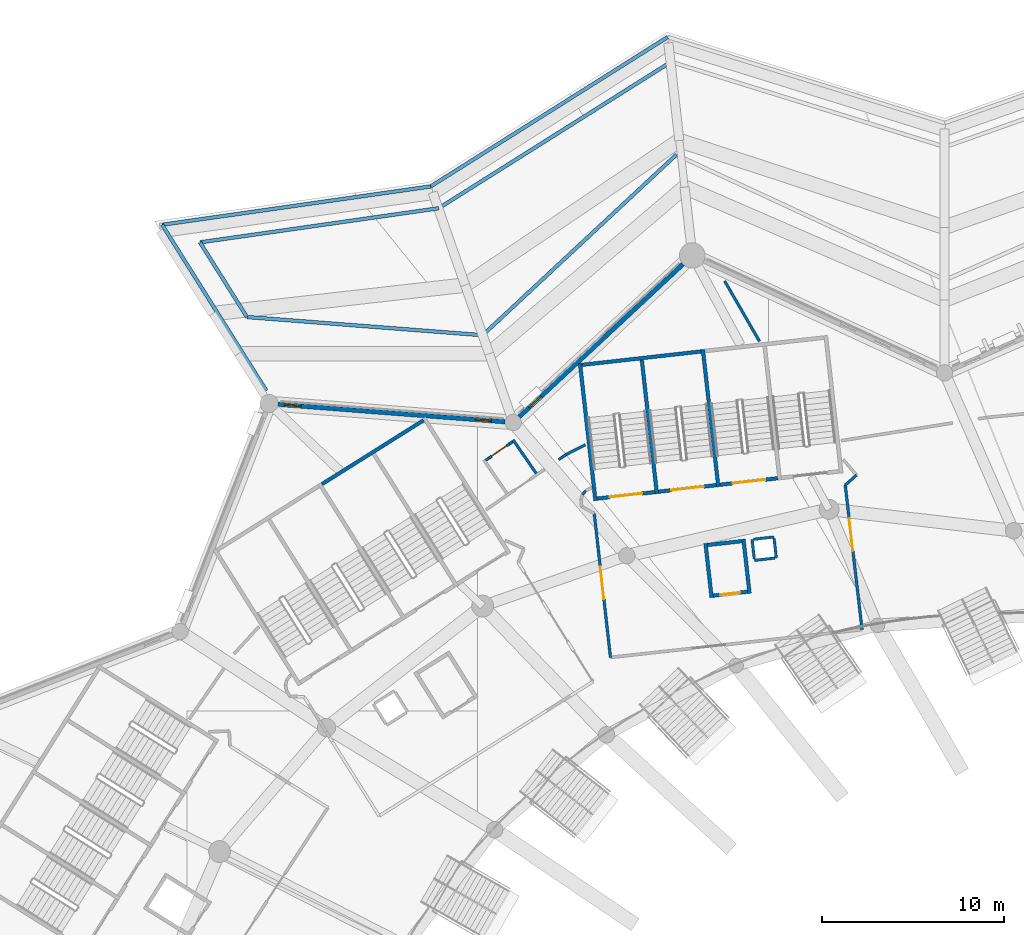
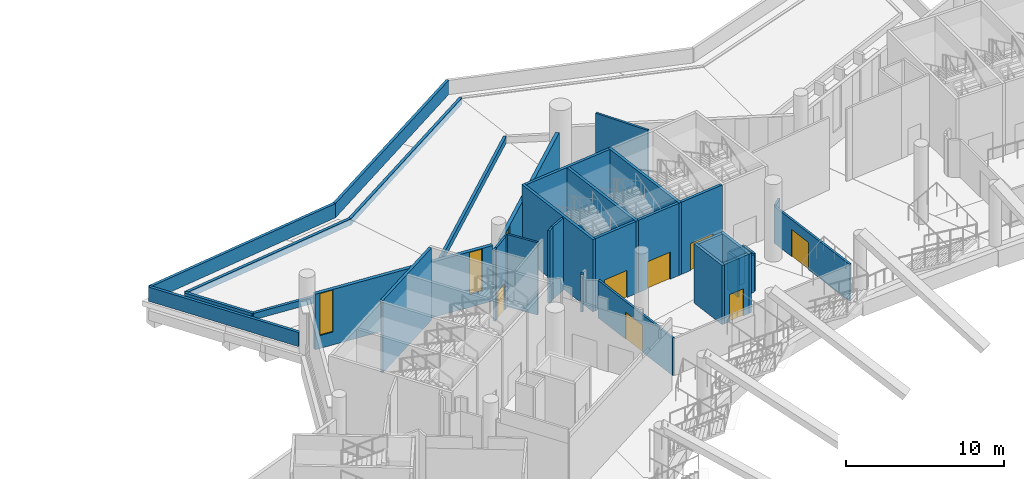
# One storey, part 66 of 173: 37 walls, 7 doors, 3 windows, 10 openings.
"""IFC4 building model written with IfcOpenShell, lengths in metres."""

from ifc_helpers import new_model, si_unit, direction, frame, frame_2d, origin, place, context, subcontext, project, spatial, rectangle, extrude, material, layer, layer_set, type_object, element, fill, save


model = new_model("IFC4")

# Units and contexts
model_context = context("Model", 3, precision=1e-05, world=origin(), true_north=direction((0.0, 1.0)))
body_context = subcontext(model_context, "Body", "Model", "MODEL_VIEW")
ifc_project = project(units=[si_unit("LENGTHUNIT", "METRE"), si_unit("AREAUNIT", "SQUARE_METRE"), si_unit("VOLUMEUNIT", "CUBIC_METRE"), si_unit("PLANEANGLEUNIT", "RADIAN"), si_unit("MASSUNIT", "GRAM", prefix="KILO")], contexts=[model_context])

# Site, building, storey
site_placement = place(None, origin())
site = spatial("IfcSite", under=ifc_project, at=site_placement, CompositionType="ELEMENT")
building_placement = place(site_placement, origin())
building = spatial("IfcBuilding", under=site, at=building_placement, Name="Meseta Stadium", CompositionType="ELEMENT")
storey_placement = place(building_placement, frame((0.0, 0.0, 18.0)))
storey = spatial("IfcBuildingStorey", under=building, at=storey_placement, Name="L03", CompositionType="ELEMENT", Elevation=18.0)

# Walls
ifc_material_1 = material(Name="Concrete C40/50", Category="concrete")
ifc_layer_1 = layer(ifc_material_1, 0.199951171875)
ifc_layer_set_1 = layer_set([ifc_layer_1], Name="Core divider wall 200")
wall_type_1 = type_object("IfcWallType", Name="Core divider wall 200", PredefinedType="SHEAR", material=ifc_layer_set_1)
wall_1_placement = place(storey_placement, frame((-54.999267578125, 99.503662109375, 0.0), z_axis=(0.0, 0.0, 1.0), x_axis=(0.111982724367, -0.993710153638, 0.0)))
element("IfcWall", 1, at=wall_1_placement, inside=storey, type_object=wall_type_1, Name="Core 12 L03 stair B divider wall", PredefinedType="SHEAR", context=body_context, shape_type="SweptSolid", body=[
    extrude(rectangle(XDim=7.60009765625, YDim=0.199951171875, at=frame_2d((3.800048828125, 0.0))), origin(), (0.0, 0.0, 1.0), 5.60009765625),
])
ifc_material_2 = material(Name="Concrete C40/50", Category="concrete")
ifc_layer_2 = layer(ifc_material_2, 0.199951171875)
ifc_layer_set_2 = layer_set([ifc_layer_2], Name="Core shaft wall 200")
wall_type_2 = type_object("IfcWallType", Name="Core shaft wall 200", PredefinedType="SHEAR", material=ifc_layer_set_2)
wall_2_placement = place(storey_placement, frame((-51.62060546875, 99.884521484375, 0.0), z_axis=(0.0, 0.0, 1.0), x_axis=(0.111947429915, -0.993714130389, 0.0)))
element("IfcWall", 2, at=wall_2_placement, inside=storey, type_object=wall_type_2, Name="Core 12 L03 stair wall shared", PredefinedType="SHEAR", context=body_context, shape_type="SweptSolid", body=[
    extrude(rectangle(XDim=7.600341796875, YDim=0.199951171875, at=frame_2d((3.80029296875, 0.0))), origin(), (0.0, 0.0, 1.0), 5.60009765625),
])
wall_3_placement = place(storey_placement, frame((-58.3779296875, 99.123046875, 0.0), z_axis=(0.0, 0.0, 1.0), x_axis=(0.111982724367, -0.993710153638, 0.0)))
element("IfcWall", 3, at=wall_3_placement, inside=storey, type_object=wall_type_2, Name="Core 12 L03 stair wall B-side", PredefinedType="SHEAR", context=body_context, shape_type="SweptSolid", body=[
    extrude(rectangle(XDim=7.60009765625, YDim=0.199951171875, at=frame_2d((3.800048828125, 0.0))), origin(), (0.0, 0.0, 1.0), 5.60009765625),
])
wall_4_placement = place(storey_placement, frame((-51.708740234375, 99.773681640625, 0.0), z_axis=(0.0, 0.0, 1.0), x_axis=(-0.993715690617, -0.111933579504, 0.0)))
element("IfcWall", 4, at=wall_4_placement, inside=storey, type_object=wall_type_2, Name="Core 12 L03 stair B outer end wall", PredefinedType="SHEAR", context=body_context, shape_type="SweptSolid", body=[
    extrude(rectangle(XDim=6.60009765625, YDim=0.199951171875, at=frame_2d((3.300048828125, 0.0))), origin(), (0.0, 0.0, 1.0), 5.60009765625),
])

# Wall, opening, door
wall_5_placement = place(storey_placement, frame((-47.501708984375, 92.801025390625, 0.0), z_axis=(0.0, 0.0, 1.0), x_axis=(-0.993707560215, -0.112005735442, 0.0)))
wall_5 = element("IfcWall", 5, at=wall_5_placement, inside=storey, type_object=wall_type_2, Name="Core 12 L03 stair A2 inner end wall", PredefinedType="SHEAR", context=body_context, shape_type="SweptSolid", body=[
    extrude(rectangle(XDim=3.19970703125, YDim=0.199951171875, at=frame_2d((1.599853515625, 0.0))), origin(), (0.0, 0.0, 1.0), 5.60009765625),
])
opening_1_placement = place(wall_5_placement, frame((0.699951171875, 0.0, 0.0)))
opening_1 = element("IfcOpeningElement", 6, at=opening_1_placement, cuts=wall_5, Name="Opening D1367", PredefinedType="OPENING", context=body_context, shape_type="SweptSolid", body=[
    extrude(rectangle(XDim=1.800048828125, YDim=2.10009765625, at=frame_2d((0.89990234375, 1.050048828125))), frame((0.0, 0.10986328125, 0.0), z_axis=(0.0, -1.0, 0.0), x_axis=(1.0, 0.0, 0.0)), (0.0, 0.0, 1.0), 0.219970703125),
])
ifc_material_3 = material(Name="Steel", Category="steel")
door_type_1 = type_object("IfcDoorType", Name="Stair door 1800x2100", OperationType="DOUBLE_DOOR_SINGLE_SWING", PredefinedType="DOOR", material=ifc_material_3)
door_1_placement = place(opening_1_placement, origin())
door_1 = element("IfcDoor", 7, at=door_1_placement, inside=storey, type_object=door_type_1, Name="Stair A2 door 12 L03", OperationType="DOUBLE_DOOR_SINGLE_SWING", OverallHeight=2.10009765625, OverallWidth=1.800048828125, PredefinedType="DOOR", context=body_context, shape_type="SweptSolid", body=[
    extrude(rectangle(XDim=1.800048828125, YDim=2.10009765625, at=frame_2d((0.89990234375, 1.050048828125))), frame((0.0, 0.02490234375, 0.0), z_axis=(0.0, -1.0, 0.0), x_axis=(1.0, 0.0, 0.0)), (0.0, 0.0, 1.0), 0.050048828125),
])
fill(opening_1, door_1)

wall_6_placement = place(storey_placement, frame((-50.88037109375, 92.42041015625, 0.0), z_axis=(0.0, 0.0, 1.0), x_axis=(-0.993707560215, -0.112005735442, 0.0)))
wall_6 = element("IfcWall", 8, at=wall_6_placement, inside=storey, type_object=wall_type_2, Name="Core 12 L03 stair B1 inner end wall", PredefinedType="SHEAR", context=body_context, shape_type="SweptSolid", body=[
    extrude(rectangle(XDim=3.19970703125, YDim=0.199951171875, at=frame_2d((1.599853515625, 0.0))), origin(), (0.0, 0.0, 1.0), 5.60009765625),
])
opening_2_placement = place(wall_6_placement, frame((0.699951171875, 0.0, 0.0)))
opening_2 = element("IfcOpeningElement", 9, at=opening_2_placement, cuts=wall_6, Name="Opening D1365", PredefinedType="OPENING", context=body_context, shape_type="SweptSolid", body=[
    extrude(rectangle(XDim=1.800048828125, YDim=2.10009765625, at=frame_2d((0.89990234375, 1.050048828125))), frame((0.0, 0.10986328125, 0.0), z_axis=(0.0, -1.0, 0.0), x_axis=(1.0, 0.0, 0.0)), (0.0, 0.0, 1.0), 0.219970703125),
])
door_2_placement = place(opening_2_placement, origin())
door_2 = element("IfcDoor", 10, at=door_2_placement, inside=storey, type_object=door_type_1, Name="Stair B1 door 12 L03", OperationType="DOUBLE_DOOR_SINGLE_SWING", OverallHeight=2.10009765625, OverallWidth=1.800048828125, PredefinedType="DOOR", context=body_context, shape_type="SweptSolid", body=[
    extrude(rectangle(XDim=1.800048828125, YDim=2.10009765625, at=frame_2d((0.89990234375, 1.050048828125))), frame((0.0, 0.02490234375, 0.0), z_axis=(0.0, -1.0, 0.0), x_axis=(1.0, 0.0, 0.0)), (0.0, 0.0, 1.0), 0.050048828125),
])
fill(opening_2, door_2)

wall_7_placement = place(storey_placement, frame((-54.2587890625, 92.03955078125, 0.0), z_axis=(0.0, 0.0, 1.0), x_axis=(-0.993717005286, -0.11192190762, 0.0)))
wall_7 = element("IfcWall", 11, at=wall_7_placement, inside=storey, type_object=wall_type_2, Name="Core 12 L03 stair B2 inner end wall", PredefinedType="SHEAR", context=body_context, shape_type="SweptSolid", body=[
    extrude(rectangle(XDim=3.199951171875, YDim=0.199951171875, at=frame_2d((1.60009765625, 0.0))), origin(), (0.0, 0.0, 1.0), 5.60009765625),
])
opening_3_placement = place(wall_7_placement, frame((0.699951171875, 0.0, 0.0)))
opening_3 = element("IfcOpeningElement", 12, at=opening_3_placement, cuts=wall_7, Name="Opening D1362", PredefinedType="OPENING", context=body_context, shape_type="SweptSolid", body=[
    extrude(rectangle(XDim=1.800048828125, YDim=2.10009765625, at=frame_2d((0.89990234375, 1.050048828125))), frame((0.0, 0.10986328125, 0.0), z_axis=(0.0, -1.0, 0.0), x_axis=(1.0, 0.0, 0.0)), (0.0, 0.0, 1.0), 0.219970703125),
])
door_3_placement = place(opening_3_placement, origin())
door_3 = element("IfcDoor", 13, at=door_3_placement, inside=storey, type_object=door_type_1, Name="Stair B2 door 12 L03", OperationType="DOUBLE_DOOR_SINGLE_SWING", OverallHeight=2.10009765625, OverallWidth=1.800048828125, PredefinedType="DOOR", context=body_context, shape_type="SweptSolid", body=[
    extrude(rectangle(XDim=1.800048828125, YDim=2.10009765625, at=frame_2d((0.89990234375, 1.050048828125))), frame((0.0, 0.02490234375, 0.0), z_axis=(0.0, -1.0, 0.0), x_axis=(1.0, 0.0, 0.0)), (0.0, 0.0, 1.0), 0.050048828125),
])
fill(opening_3, door_3)

# Walls
for number, where, z_axis, x_axis, name in (
    (14, (-49.388671875, 89.45361328125, 0.0), (0.0, 0.0, 1.0), (0.111976588553, -0.993710845073, 0.0), "Core 12 L03 lift shaft wall left"),
    (15, (-51.4755859375, 89.218505859375, 0.0), (0.0, 0.0, 1.0), (0.111976588553, -0.993710845073, 0.0), "Core 12 L03 lift shaft wall right"),
):
    element("IfcWall", number, at=place(storey_placement, frame(where, z_axis=z_axis, x_axis=x_axis)), inside=storey, type_object=wall_type_2, Name=name, PredefinedType="SHEAR", context=body_context, shape_type="SweptSolid", body=[
        extrude(rectangle(XDim=3.0, YDim=0.199951171875, at=frame_2d((1.5, 0.0))), origin(), (0.0, 0.0, 1.0), 4.60009765625),
    ])
wall_8_placement = place(storey_placement, frame((-49.476806640625, 89.343017578125, 0.0), z_axis=(0.0, 0.0, 1.0), x_axis=(-0.993718105662, -0.11191213732, 0.0)))
element("IfcWall", 16, at=wall_8_placement, inside=storey, type_object=wall_type_2, Name="Core 12 L03 lift shaft back wall", PredefinedType="SHEAR", context=body_context, shape_type="SweptSolid", body=[
    extrude(rectangle(XDim=1.900146484375, YDim=0.199951171875, at=frame_2d((0.9501953125, 0.0))), origin(), (0.0, 0.0, 1.0), 4.60009765625),
])

# Wall, opening, door
wall_9_placement = place(storey_placement, frame((-49.163330078125, 86.560791015625, 0.0), z_axis=(0.0, 0.0, 1.0), x_axis=(-0.993703808847, -0.112039012324, 0.0)))
wall_9 = element("IfcWall", 17, at=wall_9_placement, inside=storey, type_object=wall_type_2, Name="Core 12 L03 lift shaft front wall", PredefinedType="SHEAR", context=body_context, shape_type="SweptSolid", body=[
    extrude(rectangle(XDim=1.900146484375, YDim=0.199951171875, at=frame_2d((0.9501953125, 0.0))), origin(), (0.0, 0.0, 1.0), 4.60009765625),
])
opening_4_placement = place(wall_9_placement, frame((0.39990234375, 0.0, 0.0)))
opening_4 = element("IfcOpeningElement", 18, at=opening_4_placement, cuts=wall_9, Name="Opening LD67", PredefinedType="OPENING", context=body_context, shape_type="SweptSolid", body=[
    extrude(rectangle(XDim=1.10009765625, YDim=2.10009765625, at=frame_2d((0.550048828125, 1.050048828125))), frame((0.0, 0.10986328125, 0.0), z_axis=(0.0, -1.0, 0.0), x_axis=(1.0, 0.0, 0.0)), (0.0, 0.0, 1.0), 0.219970703125),
])
ifc_material_4 = material(Name="Steel", Category="steel")
door_type_2 = type_object("IfcDoorType", Name="Lift landing door 1100x2100", OperationType="SLIDING_TO_LEFT", PredefinedType="DOOR", material=ifc_material_4)
door_4_placement = place(opening_4_placement, origin())
door_4 = element("IfcDoor", 19, at=door_4_placement, inside=storey, type_object=door_type_2, Name="Lift landing door LD67", OperationType="SLIDING_TO_LEFT", OverallHeight=2.10009765625, OverallWidth=1.10009765625, PredefinedType="DOOR", context=body_context, shape_type="SweptSolid", body=[
    extrude(rectangle(XDim=1.10009765625, YDim=2.10009765625, at=frame_2d((0.550048828125, 1.050048828125))), frame((0.0, 0.02490234375, 0.0), z_axis=(0.0, -1.0, 0.0), x_axis=(1.0, 0.0, 0.0)), (0.0, 0.0, 1.0), 0.050048828125),
])
fill(opening_4, door_4)

# Walls
wall_10_placement = place(storey_placement, frame((-66.981689453125, 95.985595703125, 0.0), z_axis=(0.0, 0.0, 1.0), x_axis=(-0.846719870989, -0.532038964807, 0.0)))
element("IfcWall", 20, at=wall_10_placement, inside=storey, type_object=wall_type_2, Name="Core 13 L03 stair A outer end wall", PredefinedType="SHEAR", context=body_context, shape_type="SweptSolid", body=[
    extrude(rectangle(XDim=6.60009765625, YDim=0.199951171875, at=frame_2d((3.300048828125, 0.0))), origin(), (0.0, 0.0, 1.0), 5.60009765625),
])
ifc_material_5 = material(Name="Masonry blockwork", Category="masonry")
ifc_layer_3 = layer(ifc_material_5, 0.14990234375)
ifc_layer_set_3 = layer_set([ifc_layer_3], Name="Partition 150")
wall_type_3 = type_object("IfcWallType", Name="Partition 150", PredefinedType="PARTITIONING", material=ifc_layer_set_3)
wall_11_placement = place(storey_placement, frame((-48.508056640625, 100.335693359375, 0.0), z_axis=(0.0, 0.0, 1.0), x_axis=(-0.500439359674, 0.865771590715, 0.0)))
element("IfcWall", 21, at=wall_11_placement, inside=storey, type_object=wall_type_3, Name="Partition L03 L03-cell10-1-0", PredefinedType="PARTITIONING", context=body_context, shape_type="SweptSolid", body=[
    extrude(rectangle(XDim=3.82177734375, YDim=0.14990234375, at=frame_2d((1.910888671875, 0.0))), origin(), (0.0, 0.0, 1.0), 5.60009765625),
])
wall_12_placement = place(storey_placement, frame((-58.07421875, 94.64111328125, 0.0), z_axis=(0.0, 0.0, 1.0), x_axis=(-0.89288454256, -0.450285680049, 0.0)))
element("IfcWall", 22, at=wall_12_placement, inside=storey, type_object=wall_type_3, Name="Partition L03 L03-cell11-1-0", PredefinedType="PARTITIONING", context=body_context, shape_type="SweptSolid", body=[
    extrude(rectangle(XDim=1.20703125, YDim=0.14990234375, at=frame_2d((0.603515625, 0.0))), origin(), (0.0, 0.0, 1.0), 5.60009765625),
])
wall_13_placement = place(storey_placement, frame((-59.15185546875, 94.09765625, 0.0), z_axis=(0.0, 0.0, 1.0), x_axis=(-0.823188427996, -0.567768273165, 0.0)))
element("IfcWall", 23, at=wall_13_placement, inside=storey, type_object=wall_type_3, Name="Partition L03 L03-cell11-1-0", PredefinedType="PARTITIONING", context=body_context, shape_type="SweptSolid", body=[
    extrude(rectangle(XDim=0.484619140625, YDim=0.14990234375, at=frame_2d((0.2421875, 0.0))), origin(), (0.0, 0.0, 1.0), 5.60009765625),
])
wall_14_placement = place(storey_placement, frame((-47.7158203125, 89.566650390625, 0.0), z_axis=(0.0, 0.0, 1.0), x_axis=(-0.993710504932, -0.11197960702, 0.0)))
element("IfcWall", 24, at=wall_14_placement, inside=storey, type_object=wall_type_3, Name="Pressurisation shaft wall L03 core 12", PredefinedType="PARTITIONING", context=body_context, shape_type="SweptSolid", body=[
    extrude(rectangle(XDim=1.125, YDim=0.14990234375, at=frame_2d((0.5625, 0.0))), origin(), (0.0, 0.0, 1.0), 2.913818359375),
])
wall_15_placement = place(storey_placement, frame((-48.908203125, 89.432373046875, 0.0), z_axis=(0.0, 0.0, 1.0), x_axis=(0.111951742856, -0.993713644503, 0.0)))
element("IfcWall", 25, at=wall_15_placement, inside=storey, type_object=wall_type_3, Name="Pressurisation shaft wall L03 core 12", PredefinedType="PARTITIONING", context=body_context, shape_type="SweptSolid", body=[
    extrude(rectangle(XDim=1.0751953125, YDim=0.14990234375, at=frame_2d((0.53759765625, 0.0))), origin(), (0.0, 0.0, 1.0), 2.913818359375),
])
wall_16_placement = place(storey_placement, frame((-48.779541015625, 88.28955078125, 0.0), z_axis=(0.0, 0.0, 1.0), x_axis=(0.993710504932, 0.11197960702, 0.0)))
element("IfcWall", 26, at=wall_16_placement, inside=storey, type_object=wall_type_3, Name="Pressurisation shaft wall L03 core 12", PredefinedType="PARTITIONING", context=body_context, shape_type="SweptSolid", body=[
    extrude(rectangle(XDim=1.125, YDim=0.14990234375, at=frame_2d((0.5625, 0.0))), origin(), (0.0, 0.0, 1.0), 2.913818359375),
])
wall_17_placement = place(storey_placement, frame((-47.587158203125, 88.423828125, 0.0), z_axis=(0.0, 0.0, 1.0), x_axis=(-0.111951742856, 0.993713644503, 0.0)))
element("IfcWall", 27, at=wall_17_placement, inside=storey, type_object=wall_type_3, Name="Pressurisation shaft wall L03 core 12", PredefinedType="PARTITIONING", context=body_context, shape_type="SweptSolid", body=[
    extrude(rectangle(XDim=1.0751953125, YDim=0.14990234375, at=frame_2d((0.53759765625, 0.0))), origin(), (0.0, 0.0, 1.0), 2.913818359375),
])
wall_18_placement = place(storey_placement, frame((-58.064208984375, 92.119140625, 0.0), z_axis=(0.0, 0.0, 1.0), x_axis=(-0.623858642008, -0.781537199878, 0.0)))
element("IfcWall", 28, at=wall_18_placement, inside=storey, type_object=wall_type_3, Name="Stair vestibule wall L03 core 12", PredefinedType="PARTITIONING", context=body_context, shape_type="SweptSolid", body=[
    extrude(rectangle(XDim=0.284912109375, YDim=0.14990234375, at=frame_2d((0.142578125, 0.0))), origin(), (0.0, 0.0, 1.0), 2.913818359375),
])

# Wall, opening, door
wall_19_placement = place(storey_placement, frame((-57.59375, 90.8681640625, 0.0), z_axis=(0.0, 0.0, 1.0), x_axis=(0.11197477755, -0.993711049145, 0.0)))
wall_19 = element("IfcWall", 29, at=wall_19_placement, inside=storey, type_object=wall_type_3, Name="Stair vestibule wall L03 core 12", PredefinedType="PARTITIONING", context=body_context, shape_type="SweptSolid", body=[
    extrude(rectangle(XDim=7.968994140625, YDim=0.14990234375, at=frame_2d((3.984375, 0.0))), origin(), (0.0, 0.0, 1.0), 2.913818359375),
])
opening_5_placement = place(wall_19_placement, frame((2.949951171875, 0.0, 0.0)))
opening_5 = element("IfcOpeningElement", 30, at=opening_5_placement, cuts=wall_19, Name="Opening D1360", PredefinedType="OPENING", context=body_context, shape_type="SweptSolid", body=[
    extrude(rectangle(XDim=1.800048828125, YDim=2.10009765625, at=frame_2d((0.89990234375, 1.050048828125))), frame((0.0, 0.0849609375, 0.0), z_axis=(0.0, -1.0, 0.0), x_axis=(1.0, 0.0, 0.0)), (0.0, 0.0, 1.0), 0.169921875),
])
ifc_material_6 = material(Name="Steel", Category="steel")
door_type_3 = type_object("IfcDoorType", Name="Fire double door 1800x2100 EI2 60", OperationType="DOUBLE_DOOR_SINGLE_SWING", PredefinedType="DOOR", material=ifc_material_6)
door_5_placement = place(opening_5_placement, origin())
door_5 = element("IfcDoor", 31, at=door_5_placement, inside=storey, type_object=door_type_3, Name="Stair vestibule door L03 core 12", OperationType="DOUBLE_DOOR_SINGLE_SWING", OverallHeight=2.10009765625, OverallWidth=1.800048828125, PredefinedType="DOOR", context=body_context, shape_type="SweptSolid", body=[
    extrude(rectangle(XDim=1.800048828125, YDim=2.10009765625, at=frame_2d((0.89990234375, 1.050048828125))), frame((0.0, 0.02490234375, 0.0), z_axis=(0.0, -1.0, 0.0), x_axis=(1.0, 0.0, 0.0)), (0.0, 0.0, 1.0), 0.050048828125),
])
fill(opening_5, door_5)

wall_20_placement = place(storey_placement, frame((-42.865234375, 84.4775390625, 0.0), z_axis=(0.0, 0.0, 1.0), x_axis=(-0.115665419158, 0.993288231487, 0.0)))
wall_20 = element("IfcWall", 32, at=wall_20_placement, inside=storey, type_object=wall_type_3, Name="Stair vestibule wall L03 core 12", PredefinedType="PARTITIONING", context=body_context, shape_type="SweptSolid", body=[
    extrude(rectangle(XDim=7.999755859375, YDim=0.14990234375, at=frame_2d((4.0, 0.0))), origin(), (0.0, 0.0, 1.0), 2.85009765625),
])
opening_6_placement = place(wall_20_placement, frame((4.35009765625, 0.0, 0.0)))
opening_6 = element("IfcOpeningElement", 33, at=opening_6_placement, cuts=wall_20, Name="Opening D1372", PredefinedType="OPENING", context=body_context, shape_type="SweptSolid", body=[
    extrude(rectangle(XDim=1.800048828125, YDim=2.10009765625, at=frame_2d((0.89990234375, 1.050048828125))), frame((0.0, 0.0849609375, 0.0), z_axis=(0.0, -1.0, 0.0), x_axis=(1.0, 0.0, 0.0)), (0.0, 0.0, 1.0), 0.169921875),
])
door_6_placement = place(opening_6_placement, origin())
door_6 = element("IfcDoor", 34, at=door_6_placement, inside=storey, type_object=door_type_3, Name="Stair vestibule door L03 core 12", OperationType="DOUBLE_DOOR_SINGLE_SWING", OverallHeight=2.10009765625, OverallWidth=1.800048828125, PredefinedType="DOOR", context=body_context, shape_type="SweptSolid", body=[
    extrude(rectangle(XDim=1.800048828125, YDim=2.10009765625, at=frame_2d((0.89990234375, 1.050048828125))), frame((0.0, 0.02490234375, 0.0), z_axis=(0.0, -1.0, 0.0), x_axis=(1.0, 0.0, 0.0)), (0.0, 0.0, 1.0), 0.050048828125),
])
fill(opening_6, door_6)

# Walls
wall_21_placement = place(storey_placement, frame((-43.79052734375, 92.423583984375, 0.0), z_axis=(0.0, 0.0, 1.0), x_axis=(0.747490432018, 0.664272575109, 0.0)))
element("IfcWall", 35, at=wall_21_placement, inside=storey, type_object=wall_type_3, Name="Stair vestibule wall L03 core 12", PredefinedType="PARTITIONING", context=body_context, shape_type="SweptSolid", body=[
    extrude(rectangle(XDim=0.830322265625, YDim=0.14990234375, at=frame_2d((0.4150390625, 0.0))), origin(), (0.0, 0.0, 1.0), 2.913818359375),
])
wall_22_placement = place(storey_placement, frame((-60.781982421875, 93.064208984375, 0.0), z_axis=(0.0, 0.0, 1.0), x_axis=(-0.567951008847, 0.823062361884, 0.0)))
element("IfcWall", 36, at=wall_22_placement, inside=storey, type_object=wall_type_3, Name="Partition L03 L03-cell11-1-0 vestibule", PredefinedType="PARTITIONING", context=body_context, shape_type="SweptSolid", body=[
    extrude(rectangle(XDim=2.25, YDim=0.14990234375, at=frame_2d((1.125, 0.0))), origin(), (0.0, 0.0, 1.0), 5.60009765625),
])
wall_23_placement = place(storey_placement, frame((-62.078857421875, 94.811767578125, 0.0), z_axis=(0.0, 0.0, 1.0), x_axis=(-0.82350760101, -0.567305236251, 0.0)))
element("IfcWall", 37, at=wall_23_placement, inside=storey, type_object=wall_type_3, Name="Partition L03 L03-cell11-1-0 vestibule", PredefinedType="PARTITIONING", context=body_context, shape_type="SweptSolid", body=[
    extrude(rectangle(XDim=0.2001953125, YDim=0.14990234375, at=frame_2d((0.10009765625, 0.0))), origin(), (0.0, 0.0, 1.0), 5.60009765625),
])

# Wall, opening, door
wall_24_placement = place(storey_placement, frame((-62.24365234375, 94.6982421875, 0.0), z_axis=(0.0, 0.0, 1.0), x_axis=(-0.823145326685, -0.567830759256, 0.0)))
wall_24 = element("IfcWall", 38, at=wall_24_placement, inside=storey, type_object=wall_type_3, Name="Partition L03 L03-cell11-1-0 vestibule", PredefinedType="PARTITIONING", context=body_context, shape_type="SweptSolid", body=[
    extrude(rectangle(XDim=1.39990234375, YDim=0.14990234375, at=frame_2d((0.699951171875, 0.0))), origin(), (0.0, 0.0, 1.0), 5.60009765625),
])
opening_7_placement = place(wall_24_placement, frame((0.199951171875, 0.0, 0.0)))
opening_7 = element("IfcOpeningElement", 39, at=opening_7_placement, cuts=wall_24, Name="Opening D1353", PredefinedType="OPENING", context=body_context, shape_type="SweptSolid", body=[
    extrude(rectangle(XDim=1.0, YDim=2.10009765625, at=frame_2d((0.5, 1.050048828125))), frame((0.0, 0.0849609375, 0.0), z_axis=(0.0, -1.0, 0.0), x_axis=(1.0, 0.0, 0.0)), (0.0, 0.0, 1.0), 0.169921875),
])
ifc_material_7 = material(Name="Steel", Category="steel")
door_type_4 = type_object("IfcDoorType", Name="Fire door 1000x2100 EI2 60", OperationType="NOTDEFINED", PredefinedType="DOOR", material=ifc_material_7)
door_7_placement = place(opening_7_placement, origin())
door_7 = element("IfcDoor", 40, at=door_7_placement, inside=storey, type_object=door_type_4, Name="Vestibule door L03 L03-cell11-1-0", OperationType="SINGLE_SWING_LEFT", OverallHeight=2.10009765625, OverallWidth=1.0, PredefinedType="DOOR", context=body_context, shape_type="SweptSolid", body=[
    extrude(rectangle(XDim=1.0, YDim=2.10009765625, at=frame_2d((0.5, 1.050048828125))), frame((0.0, 0.02490234375, 0.0), z_axis=(0.0, -1.0, 0.0), x_axis=(1.0, 0.0, 0.0)), (0.0, 0.0, 1.0), 0.050048828125),
])
fill(opening_7, door_7)

# Walls
wall_25_placement = place(storey_placement, frame((-63.39599609375, 93.9033203125, 0.0), z_axis=(0.0, 0.0, 1.0), x_axis=(-0.8225435075, -0.568702187678, 0.0)))
element("IfcWall", 41, at=wall_25_placement, inside=storey, type_object=wall_type_3, Name="Partition L03 L03-cell11-1-0 vestibule", PredefinedType="PARTITIONING", context=body_context, shape_type="SweptSolid", body=[
    extrude(rectangle(XDim=0.199951171875, YDim=0.14990234375, at=frame_2d((0.10009765625, 0.0))), origin(), (0.0, 0.0, 1.0), 5.60009765625),
])
ifc_material_8 = material(Name="Precast concrete C40/50", Category="concrete")
ifc_layer_4 = layer(ifc_material_8, 0.199951171875)
ifc_layer_set_4 = layer_set([ifc_layer_4], Name="Planter kerb 200")
wall_type_4 = type_object("IfcWallType", Name="Planter kerb 200", PredefinedType="USERDEFINED", material=ifc_layer_set_4)
wall_26_placement = place(storey_placement, frame((-53.081787109375, 110.589111328125, 0.0), z_axis=(0.0, 0.0, 1.0), x_axis=(-0.731537602441, -0.681801097253, 0.0)))
element("IfcWall", 42, at=wall_26_placement, inside=storey, type_object=wall_type_4, Name="Planter kerb 3.1.5", ObjectType="PLANTER", PredefinedType="USERDEFINED", context=body_context, shape_type="SweptSolid", body=[
    extrude(rectangle(XDim=14.55419921875, YDim=0.199951171875, at=frame_2d((7.277099609375, 0.0))), origin(), (0.0, 0.0, 1.0), 0.5),
])
wall_27_placement = place(storey_placement, frame((-63.728759765625, 100.666015625, 0.0), z_axis=(0.0, 0.0, 1.0), x_axis=(-0.997036676171, 0.076927669723, 0.0)))
element("IfcWall", 43, at=wall_27_placement, inside=storey, type_object=wall_type_4, Name="Planter kerb 3.1.6", ObjectType="PLANTER", PredefinedType="USERDEFINED", context=body_context, shape_type="SweptSolid", body=[
    extrude(rectangle(XDim=13.00244140625, YDim=0.199951171875, at=frame_2d((6.501220703125, 0.0))), origin(), (0.0, 0.0, 1.0), 0.5),
])
wall_28_placement = place(storey_placement, frame((-76.692626953125, 101.666259765625, 0.0), z_axis=(0.0, 0.0, 1.0), x_axis=(-0.532024144008, 0.846729183501, 0.0)))
element("IfcWall", 44, at=wall_28_placement, inside=storey, type_object=wall_type_4, Name="Planter kerb 3.1.7", ObjectType="PLANTER", PredefinedType="USERDEFINED", context=body_context, shape_type="SweptSolid", body=[
    extrude(rectangle(XDim=4.850830078125, YDim=0.199951171875, at=frame_2d((2.42529296875, 0.0))), origin(), (0.0, 0.0, 1.0), 0.5),
])
wall_29_placement = place(storey_placement, frame((-79.2734375, 105.773681640625, 0.0), z_axis=(0.0, 0.0, 1.0), x_axis=(0.989965321599, 0.141310516353, 0.0)))
element("IfcWall", 45, at=wall_29_placement, inside=storey, type_object=wall_type_4, Name="Planter kerb 3.1.8", ObjectType="PLANTER", PredefinedType="USERDEFINED", context=body_context, shape_type="SweptSolid", body=[
    extrude(rectangle(XDim=13.260009765625, YDim=0.199951171875, at=frame_2d((6.6298828125, 0.0))), origin(), (0.0, 0.0, 1.0), 0.5),
])
wall_30_placement = place(storey_placement, frame((-66.146484375, 107.6474609375, 0.0), z_axis=(0.0, 0.0, 1.0), x_axis=(0.84604324113, 0.533114278686, 0.0)))
element("IfcWall", 46, at=wall_30_placement, inside=storey, type_object=wall_type_4, Name="Planter kerb 3.1.9", ObjectType="PLANTER", PredefinedType="USERDEFINED", context=body_context, shape_type="SweptSolid", body=[
    extrude(rectangle(XDim=15.099609375, YDim=0.199951171875, at=frame_2d((7.5498046875, 0.0))), origin(), (0.0, 0.0, 1.0), 0.5),
])

# Wall, opening, window
ifc_material_9 = material(Name="White precast concrete C40/50", Category="concrete")
ifc_layer_5 = layer(ifc_material_9, 0.25)
ifc_layer_set_5 = layer_set([ifc_layer_5], Name="Pleated panel wall 250")
wall_type_5 = type_object("IfcWallType", Name="Pleated panel wall 250", PredefinedType="SOLIDWALL", material=ifc_layer_set_5)
wall_31_placement = place(storey_placement, frame((-61.72265625, 96.17919921875, 0.0), z_axis=(0.0, 0.0, 1.0), x_axis=(0.731540985517, 0.681797467368, 0.0)))
wall_31 = element("IfcWall", 47, at=wall_31_placement, inside=storey, type_object=wall_type_5, Name="Pleated facade panel L03 F22", PredefinedType="SOLIDWALL", context=body_context, shape_type="SweptSolid", body=[
    extrude(rectangle(XDim=12.314208984375, YDim=0.25, at=frame_2d((6.1572265625, 0.0))), origin(), (0.0, 0.0, 1.0), 4.300048828125),
])
opening_8_placement = place(wall_31_placement, frame((0.75048828125, 0.0, 1.0)))
opening_8 = element("IfcOpeningElement", 48, at=opening_8_placement, cuts=wall_31, Name="Opening W088", PredefinedType="OPENING", context=body_context, shape_type="SweptSolid", body=[
    extrude(rectangle(XDim=0.89990234375, YDim=3.25, at=frame_2d((0.449951171875, 1.625))), frame((0.0, 0.135009765625, 0.0), z_axis=(0.0, -1.0, 0.0), x_axis=(1.0, 0.0, 0.0)), (0.0, 0.0, 1.0), 0.27001953125),
])
ifc_material_10 = material(Name="Aluminium", Category="aluminium")
window_type = type_object("IfcWindowType", Name="Slot window 900x3250", PartitioningType="SINGLE_PANEL", PredefinedType="WINDOW", material=ifc_material_10)
window_1_placement = place(opening_8_placement, origin())
window_1 = element("IfcWindow", 49, at=window_1_placement, inside=storey, type_object=window_type, Name="Slot window L03 F22.1", OverallHeight=3.25, OverallWidth=0.89990234375, PartitioningType="SINGLE_PANEL", PredefinedType="WINDOW", context=body_context, shape_type="SweptSolid", body=[
    extrude(rectangle(XDim=0.89990234375, YDim=3.25, at=frame_2d((0.449951171875, 1.625))), frame((0.0, 0.030029296875, 0.0), z_axis=(0.0, -1.0, 0.0), x_axis=(1.0, 0.0, 0.0)), (0.0, 0.0, 1.0), 0.06005859375),
])
fill(opening_8, window_1)

# Wall, openings, windows
wall_32_placement = place(storey_placement, frame((-74.9765625, 96.8701171875, 0.0), z_axis=(0.0, 0.0, 1.0), x_axis=(0.997035289114, -0.076945644854, 0.0)))
wall_32 = element("IfcWall", 50, at=wall_32_placement, inside=storey, type_object=wall_type_5, Name="Pleated facade panel L03 F23", PredefinedType="SOLIDWALL", context=body_context, shape_type="SweptSolid", body=[
    extrude(rectangle(XDim=12.513916015625, YDim=0.25, at=frame_2d((6.2568359375, 0.0))), origin(), (0.0, 0.0, 1.0), 4.300048828125),
])
opening_9_placement = place(wall_32_placement, frame((10.86328125, 0.0, 1.0)))
opening_9 = element("IfcOpeningElement", 51, at=opening_9_placement, cuts=wall_32, Name="Opening W086", PredefinedType="OPENING", context=body_context, shape_type="SweptSolid", body=[
    extrude(rectangle(XDim=0.89990234375, YDim=3.25, at=frame_2d((0.449951171875, 1.625))), frame((0.0, 0.135009765625, 0.0), z_axis=(0.0, -1.0, 0.0), x_axis=(1.0, 0.0, 0.0)), (0.0, 0.0, 1.0), 0.27001953125),
])
opening_10_placement = place(wall_32_placement, frame((0.36328125, 0.0, 1.0)))
opening_10 = element("IfcOpeningElement", 52, at=opening_10_placement, cuts=wall_32, Name="Opening W082", PredefinedType="OPENING", context=body_context, shape_type="SweptSolid", body=[
    extrude(rectangle(XDim=0.89990234375, YDim=3.25, at=frame_2d((0.449951171875, 1.625))), frame((0.0, 0.135009765625, 0.0), z_axis=(0.0, -1.0, 0.0), x_axis=(1.0, 0.0, 0.0)), (0.0, 0.0, 1.0), 0.27001953125),
])
window_2_placement = place(opening_9_placement, origin())
window_2 = element("IfcWindow", 53, at=window_2_placement, inside=storey, type_object=window_type, Name="Slot window L03 F23.1", OverallHeight=3.25, OverallWidth=0.89990234375, PartitioningType="SINGLE_PANEL", PredefinedType="WINDOW", context=body_context, shape_type="SweptSolid", body=[
    extrude(rectangle(XDim=0.89990234375, YDim=3.25, at=frame_2d((0.449951171875, 1.625))), frame((0.0, 0.030029296875, 0.0), z_axis=(0.0, -1.0, 0.0), x_axis=(1.0, 0.0, 0.0)), (0.0, 0.0, 1.0), 0.06005859375),
])
fill(opening_9, window_2)
window_3_placement = place(opening_10_placement, origin())
window_3 = element("IfcWindow", 54, at=window_3_placement, inside=storey, type_object=window_type, Name="Slot window L03 F23.6", OverallHeight=3.25, OverallWidth=0.89990234375, PartitioningType="SINGLE_PANEL", PredefinedType="WINDOW", context=body_context, shape_type="SweptSolid", body=[
    extrude(rectangle(XDim=0.89990234375, YDim=3.25, at=frame_2d((0.449951171875, 1.625))), frame((0.0, 0.030029296875, 0.0), z_axis=(0.0, -1.0, 0.0), x_axis=(1.0, 0.0, 0.0)), (0.0, 0.0, 1.0), 0.06005859375),
])
fill(opening_10, window_3)

# Walls
ifc_material_11 = material(Name="Concrete C40/50", Category="concrete")
ifc_layer_6 = layer(ifc_material_11, 0.199951171875)
ifc_layer_set_6 = layer_set([ifc_layer_6], Name="Roof parapet 200")
wall_type_6 = type_object("IfcWallType", Name="Roof parapet 200", PredefinedType="PARAPET", material=ifc_layer_set_6)
wall_33_placement = place(storey_placement, frame((-75.6279296875, 97.622314453125, 0.0), z_axis=(0.0, 0.0, 1.0), x_axis=(-0.532023399965, 0.846729651004, 0.0)))
element("IfcWall", 55, at=wall_33_placement, inside=storey, type_object=wall_type_6, Name="Roof parapet 3.17.1", PredefinedType="PARAPET", context=body_context, shape_type="SweptSolid", body=[
    extrude(rectangle(XDim=10.766845703125, YDim=0.199951171875, at=frame_2d((5.38330078125, 0.0))), origin(), (0.0, 0.0, 1.0), 1.10009765625),
])
wall_34_placement = place(storey_placement, frame((-81.356201171875, 106.739013671875, 0.0), z_axis=(0.0, 0.0, 1.0), x_axis=(0.989965197909, 0.14131138287, 0.0)))
element("IfcWall", 56, at=wall_34_placement, inside=storey, type_object=wall_type_6, Name="Roof parapet 3.18.1", PredefinedType="PARAPET", context=body_context, shape_type="SweptSolid", body=[
    extrude(rectangle(XDim=14.91845703125, YDim=0.199951171875, at=frame_2d((7.459228515625, 0.0))), origin(), (0.0, 0.0, 1.0), 1.10009765625),
])
wall_35_placement = place(storey_placement, frame((-66.58740234375, 108.84716796875, 0.0), z_axis=(0.0, 0.0, 1.0), x_axis=(0.846046782994, 0.533108657766, 0.0)))
element("IfcWall", 57, at=wall_35_placement, inside=storey, type_object=wall_type_6, Name="Roof parapet 3.19.1", PredefinedType="PARAPET", context=body_context, shape_type="SweptSolid", body=[
    extrude(rectangle(XDim=15.408935546875, YDim=0.199951171875, at=frame_2d((7.70458984375, 0.0))), origin(), (0.0, 0.0, 1.0), 1.10009765625),
])

save(model, "model.ifc")
